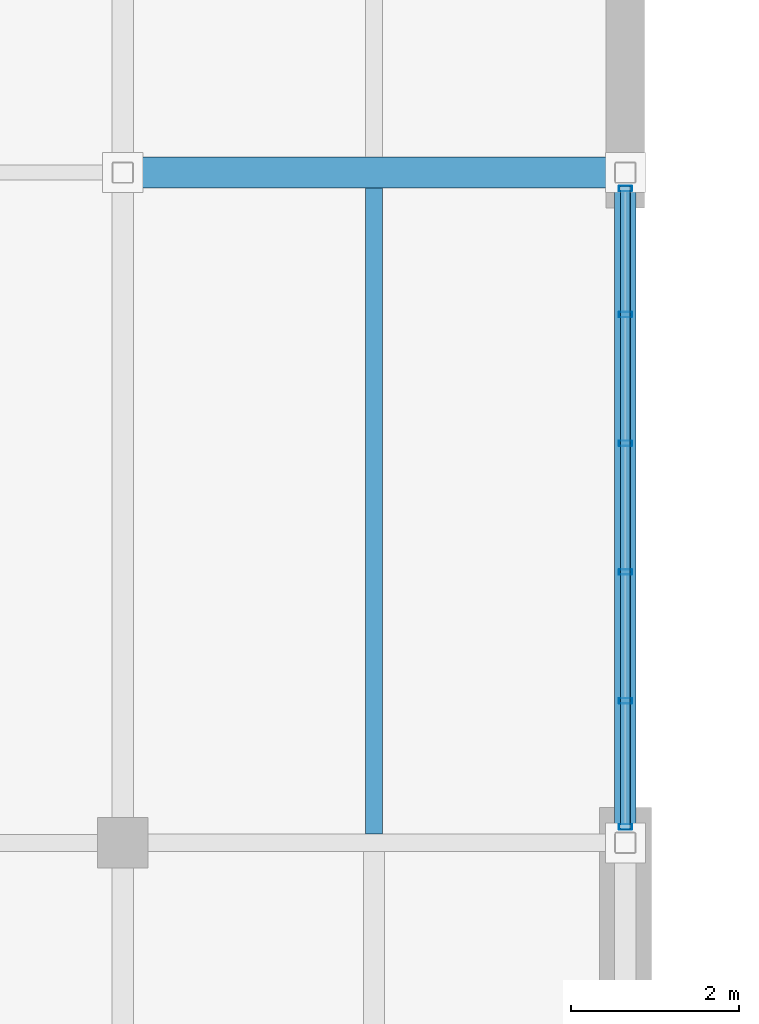
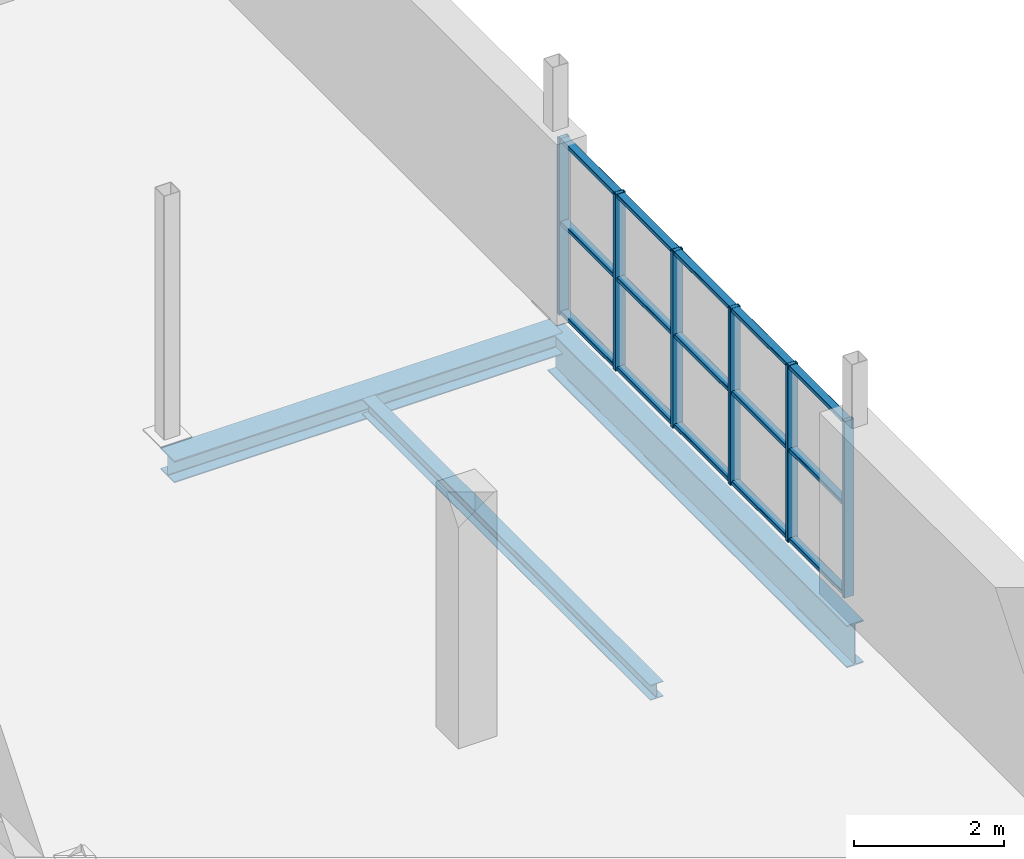
# One storey, part 56 of 96: 9 members, 3 beams, 1 element without a shape of its own.
"""IFC4 building model written with IfcOpenShell, lengths in metres."""

from ifc_helpers import new_model, si_unit, direction, frame, origin, origin_2d, place, context, subcontext, project, spatial, hollow_rectangle, i_section, extrude, material, material_profile, profile_set, type_object, element, aggregate, save


model = new_model("IFC4")

# Units and contexts
model_context = context("Model", 3, precision=1e-05, world=origin(), true_north=direction((0.0, 1.0)))
body_context = subcontext(model_context, "Body", "Model", "MODEL_VIEW")
ifc_project = project(units=[si_unit("LENGTHUNIT", "METRE"), si_unit("AREAUNIT", "SQUARE_METRE"), si_unit("VOLUMEUNIT", "CUBIC_METRE"), si_unit("PLANEANGLEUNIT", "RADIAN"), si_unit("MASSUNIT", "GRAM", prefix="KILO")], contexts=[model_context])

# Site, building, storey
site_placement = place(None, origin())
site = spatial("IfcSite", under=ifc_project, at=site_placement, CompositionType="ELEMENT")
building_placement = place(site_placement, origin())
building = spatial("IfcBuilding", under=site, at=building_placement, Name="Verrall Gate Interchange", CompositionType="ELEMENT")
storey_placement = place(building_placement, frame((0.0, 0.0, 11.39990234375)))
storey = spatial("IfcBuildingStorey", under=building, at=storey_placement, Name="L03", CompositionType="ELEMENT", Elevation=11.39990234375)

# Beams
ifc_material_1 = material(Name="Structural Steel CSA G40.21 350WT Cat 4", Category="steel")
ifc_material_profile_1 = material_profile(ifc_material_1, i_section(OverallWidth=0.256103515625, OverallDepth=0.693115234375, WebThickness=0.01318359375, FlangeThickness=0.02001953125, FilletRadius=0.01611328125, at=origin_2d()), Name="W690x170")
ifc_profile_set_1 = profile_set([ifc_material_profile_1], Name="Structural Steel CSA G40.21 350WT Cat 4")
beam_type_1 = type_object("IfcBeamType", Name="B-07 Structural Beam W690x170", PredefinedType="BEAM", material=ifc_profile_set_1)
beam_1_placement = place(storey_placement, frame((36.0, 66.0, -0.676513671875), z_axis=(0.0, 1.0, 0.0), x_axis=(-1.0, 0.0, 0.0)))
element("IfcBeam", 1, at=beam_1_placement, inside=storey, type_object=beam_type_1, Name="L03 Girder BM-L03-2269 (B-07)", PredefinedType="BEAM", context=body_context, shape_type="SweptSolid", body=[
    extrude(i_section(OverallWidth=0.256103515625, OverallDepth=0.693115234375, WebThickness=0.01318359375, FlangeThickness=0.02001953125, FilletRadius=0.01611328125, at=origin_2d()), origin(), (0.0, 0.0, 1.0), 8.0),
])
ifc_material_2 = material(Name="Structural Steel CSA G40.21 350W", Category="steel")
ifc_material_profile_2 = material_profile(ifc_material_2, i_section(OverallWidth=0.368896484375, OverallDepth=0.35595703125, WebThickness=0.01123046875, FlangeThickness=0.01806640625, FilletRadius=0.014892578125, at=origin_2d()), Name="W360x134")
ifc_profile_set_2 = profile_set([ifc_material_profile_2], Name="Structural Steel CSA G40.21 350W")
beam_type_2 = type_object("IfcBeamType", Name="B-13 Structural Beam W360x134", PredefinedType="BEAM", material=ifc_profile_set_2)
beam_2_placement = place(storey_placement, frame((30.0, 74.0, -0.5078125), z_axis=(1.0, 0.0, 0.0), x_axis=(0.0, 1.0, 0.0)))
element("IfcBeam", 2, at=beam_2_placement, inside=storey, type_object=beam_type_2, Name="L03 Girder BM-L03-2160 (B-13)", PredefinedType="BEAM", context=body_context, shape_type="SweptSolid", body=[
    extrude(i_section(OverallWidth=0.368896484375, OverallDepth=0.35595703125, WebThickness=0.01123046875, FlangeThickness=0.01806640625, FilletRadius=0.014892578125, at=origin_2d()), origin(), (0.0, 0.0, 1.0), 6.0),
])

# Curtain wall, members
ifc_material_3 = material(Name="Thermally Broken Anodized Aluminium Curtain Wall Framing", Category="aluminium")
curtain_wall_type = type_object("IfcCurtainWallType", Name="CW-34 Unitized Curtain Wall 7682x2880", PredefinedType="NOTDEFINED", material=ifc_material_3)
curtain_wall_placement = place(storey_placement, origin())
curtain_wall = element("IfcCurtainWall", 3, at=curtain_wall_placement, inside=storey, type_object=curtain_wall_type, Name="L03 Unitized Curtain Wall CW-L03-108", PredefinedType="NOTDEFINED")
ifc_material_4 = material(Name="Thermally Broken Anodized Aluminium Curtain Wall Framing", Category="aluminium")
ifc_material_profile_3 = material_profile(ifc_material_4, hollow_rectangle(XDim=0.06494140625, YDim=0.159912109375, WallThickness=0.00390625, InnerFilletRadius=0.00390625, OuterFilletRadius=0.008056640625, at=origin_2d()), Name="CWM160x65x4")
ifc_profile_set_3 = profile_set([ifc_material_profile_3], Name="Thermally Broken Anodized Aluminium Curtain Wall Framing")
member_type_1 = type_object("IfcMemberType", Name="CM-01 Curtain Mullion CWM160x65x4", PredefinedType="MULLION", material=ifc_profile_set_3)
member_1_placement = place(storey_placement, frame((36.0, 66.19140625, 0.0), z_axis=(0.0, 0.0, 1.0), x_axis=(0.0, 1.0, 0.0)))
member_1 = element("IfcMember", 4, at=member_1_placement, type_object=member_type_1, Name="CW-L03-108 Mullion 1", PredefinedType="MULLION", context=body_context, shape_type="SweptSolid", body=[
    extrude(hollow_rectangle(XDim=0.06494140625, YDim=0.159912109375, WallThickness=0.00390625, InnerFilletRadius=0.00390625, OuterFilletRadius=0.008056640625, at=origin_2d()), origin(), (0.0, 0.0, 1.0), 2.880126953125),
])
member_2_placement = place(storey_placement, frame((36.0, 67.6953125, 0.0), z_axis=(0.0, 0.0, 1.0), x_axis=(0.0, 1.0, 0.0)))
member_2 = element("IfcMember", 5, at=member_2_placement, type_object=member_type_1, Name="CW-L03-108 Mullion 2", PredefinedType="MULLION", context=body_context, shape_type="SweptSolid", body=[
    extrude(hollow_rectangle(XDim=0.06494140625, YDim=0.159912109375, WallThickness=0.00390625, InnerFilletRadius=0.00390625, OuterFilletRadius=0.008056640625, at=origin_2d()), origin(), (0.0, 0.0, 1.0), 2.880126953125),
])
member_3_placement = place(storey_placement, frame((36.0, 69.231689453125, 0.0), z_axis=(0.0, 0.0, 1.0), x_axis=(0.0, 1.0, 0.0)))
member_3 = element("IfcMember", 6, at=member_3_placement, type_object=member_type_1, Name="CW-L03-108 Mullion 3", PredefinedType="MULLION", context=body_context, shape_type="SweptSolid", body=[
    extrude(hollow_rectangle(XDim=0.06494140625, YDim=0.159912109375, WallThickness=0.00390625, InnerFilletRadius=0.00390625, OuterFilletRadius=0.008056640625, at=origin_2d()), origin(), (0.0, 0.0, 1.0), 2.880126953125),
])
member_4_placement = place(storey_placement, frame((36.0, 70.768310546875, 0.0), z_axis=(0.0, 0.0, 1.0), x_axis=(0.0, 1.0, 0.0)))
member_4 = element("IfcMember", 7, at=member_4_placement, type_object=member_type_1, Name="CW-L03-108 Mullion 4", PredefinedType="MULLION", context=body_context, shape_type="SweptSolid", body=[
    extrude(hollow_rectangle(XDim=0.06494140625, YDim=0.159912109375, WallThickness=0.00390625, InnerFilletRadius=0.00390625, OuterFilletRadius=0.008056640625, at=origin_2d()), origin(), (0.0, 0.0, 1.0), 2.880126953125),
])
member_5_placement = place(storey_placement, frame((36.0, 72.3046875, 0.0), z_axis=(0.0, 0.0, 1.0), x_axis=(0.0, 1.0, 0.0)))
member_5 = element("IfcMember", 8, at=member_5_placement, type_object=member_type_1, Name="CW-L03-108 Mullion 5", PredefinedType="MULLION", context=body_context, shape_type="SweptSolid", body=[
    extrude(hollow_rectangle(XDim=0.06494140625, YDim=0.159912109375, WallThickness=0.00390625, InnerFilletRadius=0.00390625, OuterFilletRadius=0.008056640625, at=origin_2d()), origin(), (0.0, 0.0, 1.0), 2.880126953125),
])
member_6_placement = place(storey_placement, frame((36.0, 73.80859375, 0.0), z_axis=(0.0, 0.0, 1.0), x_axis=(0.0, 1.0, 0.0)))
member_6 = element("IfcMember", 9, at=member_6_placement, type_object=member_type_1, Name="CW-L03-108 Mullion 6", PredefinedType="MULLION", context=body_context, shape_type="SweptSolid", body=[
    extrude(hollow_rectangle(XDim=0.06494140625, YDim=0.159912109375, WallThickness=0.00390625, InnerFilletRadius=0.00390625, OuterFilletRadius=0.008056640625, at=origin_2d()), origin(), (0.0, 0.0, 1.0), 2.880126953125),
])
ifc_material_5 = material(Name="Thermally Broken Anodized Aluminium Curtain Wall Framing", Category="aluminium")
ifc_material_profile_4 = material_profile(ifc_material_5, hollow_rectangle(XDim=0.1201171875, YDim=0.06494140625, WallThickness=0.00390625, InnerFilletRadius=0.00390625, OuterFilletRadius=0.008056640625, at=origin_2d()), Name="CWT120x65x4")
ifc_profile_set_4 = profile_set([ifc_material_profile_4], Name="Thermally Broken Anodized Aluminium Curtain Wall Framing")
member_type_2 = type_object("IfcMemberType", Name="CT-01 Curtain Transom CWT120x65x4", PredefinedType="USERDEFINED", material=ifc_profile_set_4)
member_7_placement = place(storey_placement, frame((36.0, 66.158935546875, 0.03271484375), z_axis=(0.0, 1.0, 0.0), x_axis=(-1.0, 0.0, 0.0)))
member_7 = element("IfcMember", 10, at=member_7_placement, type_object=member_type_2, Name="CW-L03-108 Transom 1", ObjectType="TRANSOM", PredefinedType="USERDEFINED", context=body_context, shape_type="SweptSolid", body=[
    extrude(hollow_rectangle(XDim=0.1201171875, YDim=0.06494140625, WallThickness=0.00390625, InnerFilletRadius=0.00390625, OuterFilletRadius=0.008056640625, at=origin_2d()), origin(), (0.0, 0.0, 1.0), 7.68212890625),
])
member_8_placement = place(storey_placement, frame((36.0, 66.158935546875, 1.497802734375), z_axis=(0.0, 1.0, 0.0), x_axis=(-1.0, 0.0, 0.0)))
member_8 = element("IfcMember", 11, at=member_8_placement, type_object=member_type_2, Name="CW-L03-108 Transom 2", ObjectType="TRANSOM", PredefinedType="USERDEFINED", context=body_context, shape_type="SweptSolid", body=[
    extrude(hollow_rectangle(XDim=0.1201171875, YDim=0.06494140625, WallThickness=0.00390625, InnerFilletRadius=0.00390625, OuterFilletRadius=0.008056640625, at=origin_2d()), origin(), (0.0, 0.0, 1.0), 7.68212890625),
])
member_9_placement = place(storey_placement, frame((36.0, 66.158935546875, 2.84765625), z_axis=(0.0, 1.0, 0.0), x_axis=(-1.0, 0.0, 0.0)))
member_9 = element("IfcMember", 12, at=member_9_placement, type_object=member_type_2, Name="CW-L03-108 Transom 3", ObjectType="TRANSOM", PredefinedType="USERDEFINED", context=body_context, shape_type="SweptSolid", body=[
    extrude(hollow_rectangle(XDim=0.1201171875, YDim=0.06494140625, WallThickness=0.00390625, InnerFilletRadius=0.00390625, OuterFilletRadius=0.008056640625, at=origin_2d()), origin(), (0.0, 0.0, 1.0), 7.68212890625),
])
aggregate(curtain_wall, [member_1, member_2, member_3, member_4, member_5, member_6, member_7, member_8, member_9])

# Beam
ifc_material_6 = material(Name="Structural Steel CSA G40.21 350W", Category="steel")
ifc_material_profile_5 = material_profile(ifc_material_6, i_section(OverallWidth=0.201904296875, OverallDepth=0.2470703125, WebThickness=0.00732421875, FlangeThickness=0.010986328125, FilletRadius=0.010986328125, at=origin_2d()), Name="W250x49")
ifc_profile_set_5 = profile_set([ifc_material_profile_5], Name="Structural Steel CSA G40.21 350W")
beam_type_3 = type_object("IfcBeamType", Name="J-06 Floor Joist W250x49", PredefinedType="JOIST", material=ifc_profile_set_5)
beam_3_placement = place(storey_placement, frame((33.0, 66.10546875, -0.453369140625), z_axis=(0.0, 1.0, 0.0), x_axis=(-1.0, 0.0, 0.0)))
element("IfcBeam", 13, at=beam_3_placement, inside=storey, type_object=beam_type_3, Name="L03 Secondary Floor Joist JST-L03-2508", PredefinedType="JOIST", context=body_context, shape_type="SweptSolid", body=[
    extrude(i_section(OverallWidth=0.201904296875, OverallDepth=0.2470703125, WebThickness=0.00732421875, FlangeThickness=0.010986328125, FilletRadius=0.010986328125, at=origin_2d()), origin(), (0.0, 0.0, 1.0), 7.7099609375),
])

save(model, "model.ifc")
